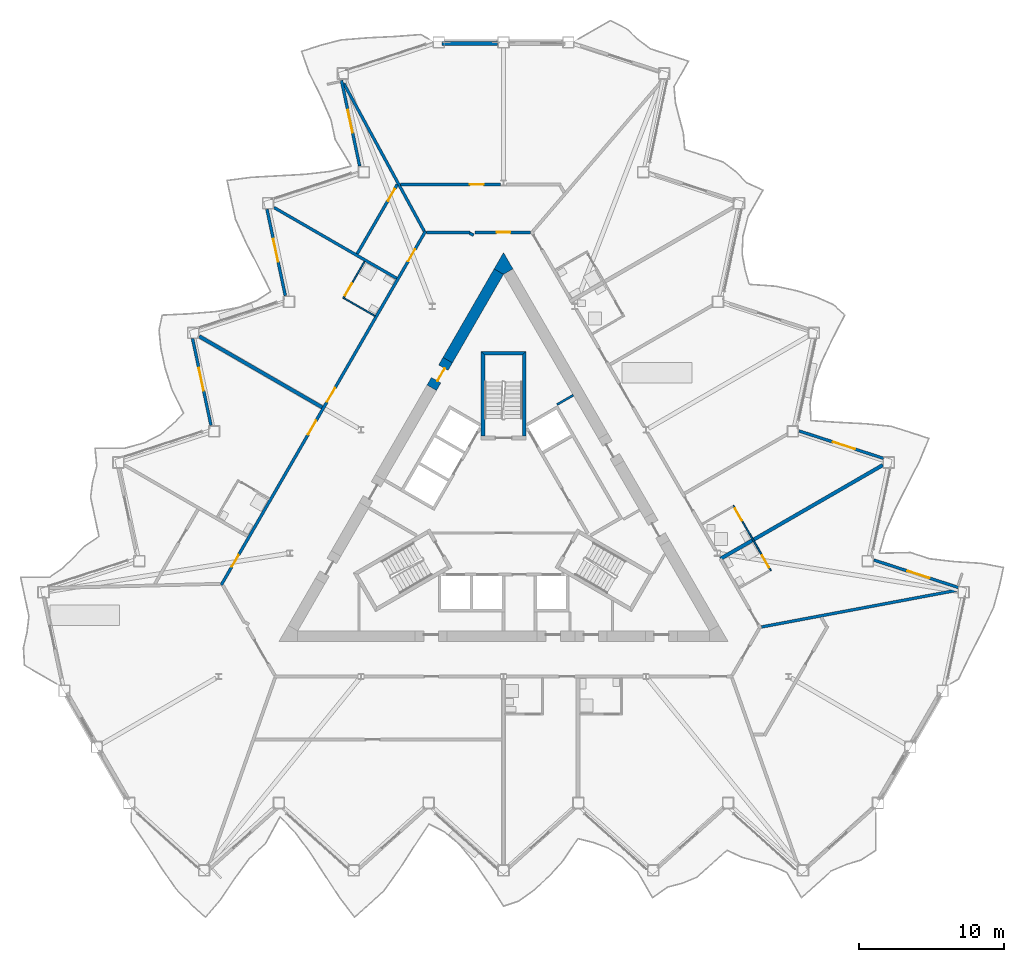
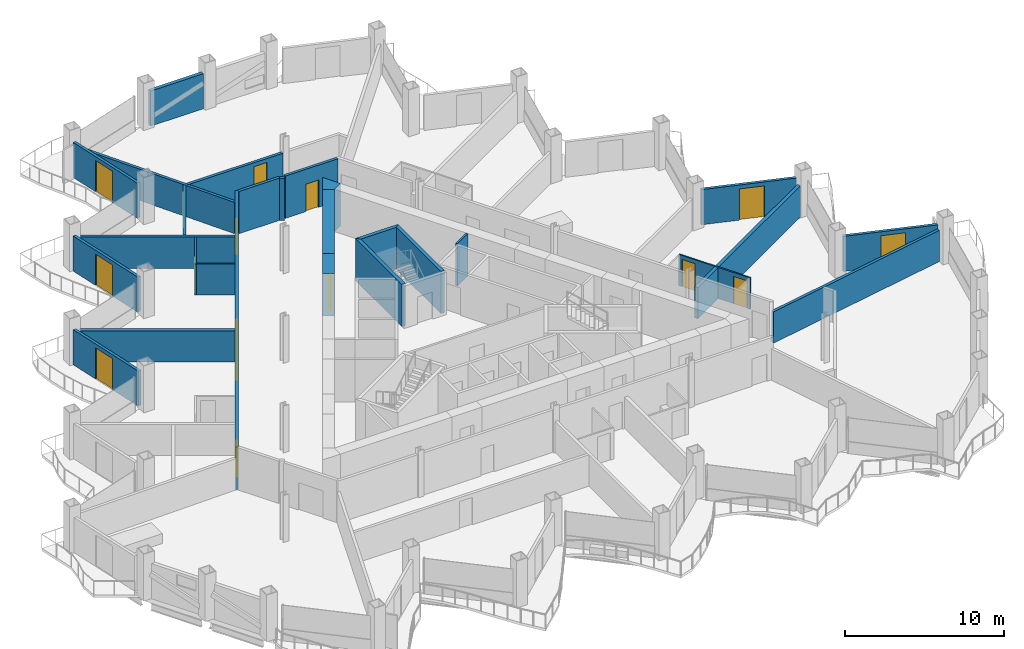
# One storey, part 13 of 22: 27 walls, 16 doors, 16 openings.
"""IFC4 building model written with IfcOpenShell, lengths in metres."""

import ifcopenshell
import ifcopenshell.guid

model = None  # the IFC model being written
_history = None  # IfcOwnerHistory: only IFC2X3 demands one
_inside = {}  # id of a spatial element -> (the spatial element, [elements in it])
_under = {}  # id of a project, library or spatial element -> (it, [spatial elements below it])
_declared = {}  # id of a project -> (the project, [libraries it declares])
_typed = {}  # id of a type object -> (the type object, [elements of that type])
_made_of = {}  # id of a material, layer set ... -> (it, [elements and type objects made of it])


def new_model(schema):
    """Start an empty IFC model of exactly this schema.

    Asked for "IFC4X3", IfcOpenShell would pick the latest addendum, in which some entities
    have other attributes; the version numbers below select the first issue.
    IFC2X3 requires an IfcOwnerHistory on every rooted entity: one is made here for all.
    """
    global model, _history
    if schema == "IFC4X3":
        model = ifcopenshell.file(schema_version=(4, 3, 0, 0))
    else:
        model = ifcopenshell.file(schema=schema)
    _inside.clear()
    _under.clear()
    _declared.clear()
    _typed.clear()
    _made_of.clear()
    _history = None
    if model.schema == "IFC2X3":
        org = make("IfcOrganization", Name="unknown")
        user = make(
            "IfcPersonAndOrganization",
            ThePerson=make("IfcPerson", FamilyName="unknown"),
            TheOrganization=org,
        )
        app = make(
            "IfcApplication",
            ApplicationDeveloper=org,
            Version="unknown",
            ApplicationFullName="unknown",
            ApplicationIdentifier="unknown",
        )
        _history = make(
            "IfcOwnerHistory",
            OwningUser=user,
            OwningApplication=app,
            ChangeAction="ADDED",
            CreationDate=0,
        )
    return model


def make(cls, **values):
    """One entity of the class cls with the attributes given. An attribute that is None is left unset."""
    return model.create_entity(
        cls, **{name: value for name, value in values.items() if value is not None}
    )


def rooted(cls, **values):
    """An entity with a GlobalId (a new one), such as an element, a storey or a relation."""
    return make(cls, GlobalId=ifcopenshell.guid.new(), OwnerHistory=_history, **values)


def si_unit(unit_type, name, prefix=None):
    """IfcSIUnit, for example si_unit("LENGTHUNIT", "METRE", prefix="MILLI")."""
    return make("IfcSIUnit", UnitType=unit_type, Prefix=prefix, Name=name)


def assignment(units):
    """IfcUnitAssignment: the units of a project."""
    return None if units is None else make("IfcUnitAssignment", Units=units)


def point(xyz):
    """IfcCartesianPoint."""
    return None if xyz is None else make("IfcCartesianPoint", Coordinates=xyz)


def direction(xyz):
    """IfcDirection."""
    return None if xyz is None else make("IfcDirection", DirectionRatios=xyz)


def frame(location, z_axis=None, x_axis=None):
    """IfcAxis2Placement3D, a coordinate frame: its origin and axes. An axis left out is left unset."""
    return make(
        "IfcAxis2Placement3D",
        Location=point(location),
        Axis=direction(z_axis),
        RefDirection=direction(x_axis),
    )


def frame_2d(location, x_axis=None):
    """IfcAxis2Placement2D, a coordinate frame in the plane: its origin and x axis."""
    return make(
        "IfcAxis2Placement2D", Location=point(location), RefDirection=direction(x_axis)
    )


def origin():
    """The frame at (0, 0, 0) with its axes left unset."""
    return frame((0.0, 0.0, 0.0))


def place(relative_to, where):
    """IfcLocalPlacement: puts the frame where relative to a parent placement (None: the world)."""
    return make(
        "IfcLocalPlacement", PlacementRelTo=relative_to, RelativePlacement=where
    )


def context(
    kind, dimensions, precision=None, world=None, true_north=None, identifier=None
):
    """IfcGeometricRepresentationContext, for example the 3D "Model" context."""
    return make(
        "IfcGeometricRepresentationContext",
        ContextIdentifier=identifier,
        ContextType=kind,
        CoordinateSpaceDimension=dimensions,
        Precision=precision,
        WorldCoordinateSystem=world,
        TrueNorth=true_north,
    )


def subcontext(parent, identifier, kind, view, scale=None):
    """IfcGeometricRepresentationSubContext, for example "Body" below "Model"."""
    return make(
        "IfcGeometricRepresentationSubContext",
        ContextIdentifier=identifier,
        ContextType=kind,
        ParentContext=parent,
        TargetScale=scale,
        TargetView=view,
    )


def project(units=None, contexts=None):
    """IfcProject with its units and contexts."""
    return rooted(
        "IfcProject",
        Name="project",
        RepresentationContexts=contexts,
        UnitsInContext=assignment(units),
    )


def spatial(cls, under=None, at=None, **own):
    """A site, building, storey or space (cls), placed at a placement, below another one or the project."""
    s = rooted(cls, ObjectPlacement=at, **own)
    if under is not None:
        _under.setdefault(under.id(), (under, []))[1].append(s)
    return s


def polyline(points):
    """IfcPolyline through the points."""
    return make("IfcPolyline", Points=[point(p) for p in points])


def profile(cls, at=None, kind="AREA", **sizes):
    """A parametric profile (cls). Its sizes go by their IFC names, for example OverallWidth=200.0."""
    return make(cls, ProfileType=kind, Position=at, **sizes)


def rectangle(**sizes):
    """IfcRectangleProfileDef."""
    return profile("IfcRectangleProfileDef", **sizes)


def outline(outer, holes=None, kind="AREA"):
    """IfcArbitraryClosedProfileDef: a profile drawn as a closed curve; with holes, ...WithVoids."""
    if holes is None:
        return make("IfcArbitraryClosedProfileDef", ProfileType=kind, OuterCurve=outer)
    return make(
        "IfcArbitraryProfileDefWithVoids",
        ProfileType=kind,
        OuterCurve=outer,
        InnerCurves=holes,
    )


def extrude(swept, where, along, depth):
    """IfcExtrudedAreaSolid: the profile swept, set in the frame where, extruded along a direction by depth."""
    return make(
        "IfcExtrudedAreaSolid",
        SweptArea=swept,
        Position=where,
        ExtrudedDirection=direction(along),
        Depth=depth,
    )


def shape(context_of_items, identifier, shape_type, items):
    """IfcShapeRepresentation: the items that make up one representation, for example the "Body"."""
    return make(
        "IfcShapeRepresentation",
        ContextOfItems=context_of_items,
        RepresentationIdentifier=identifier,
        RepresentationType=shape_type,
        Items=items,
    )


def material(Name=None, Category=None):
    """IfcMaterial."""
    return make("IfcMaterial", Name=Name, Category=Category)


def layer(
    of_material, thickness, ventilated=None, Name=None, Category=None, Priority=None
):
    """IfcMaterialLayer: one layer of a wall or slab, of a material (None: an air gap)."""
    return make(
        "IfcMaterialLayer",
        Material=of_material,
        LayerThickness=thickness,
        IsVentilated=ventilated,
        Name=Name,
        Category=Category,
        Priority=Priority,
    )


def layer_set(layers, Name=None):
    """IfcMaterialLayerSet."""
    return make("IfcMaterialLayerSet", MaterialLayers=layers, LayerSetName=Name)


def made_of(thing, what):
    """Note that an element or type object is made of a material, layer set ...; save() writes the relation."""
    if what is not None:
        _made_of.setdefault(what.id(), (what, []))[1].append(thing)
    return thing


def type_object(cls, material=None, **own):
    """A type object (cls), such as IfcWallType, which elements share."""
    return made_of(rooted(cls, **own), material)


def element(
    cls,
    number,
    at=None,
    inside=None,
    cuts=None,
    type_object=None,
    material=None,
    context=None,
    identifier="Body",
    shape_type=None,
    held_by="IfcProductDefinitionShape",
    body=None,
    shapes=None,
    **own,
):
    """One element of the class cls, such as IfcWall. Its Tag is "e" and its number.

    at: its placement. inside: the storey or other place that contains it. cuts: it is an
    opening in that element (IfcRelVoidsElement). A single representation is given by context,
    identifier, shape_type and body (its items); several are given by shapes. held_by: the class
    of the entity that holds the representations. save() writes the other relations.
    """
    e = rooted(cls, Tag="e%d" % number, ObjectPlacement=at, **own)
    if body is not None:
        shapes = [shape(context, identifier, shape_type, body)]
    if shapes is not None:
        e.Representation = make(held_by, Representations=shapes)
    if inside is not None:
        _inside.setdefault(inside.id(), (inside, []))[1].append(e)
    if cuts is not None:
        rooted(
            "IfcRelVoidsElement", RelatingBuildingElement=cuts, RelatedOpeningElement=e
        )
    if type_object is not None:
        _typed.setdefault(type_object.id(), (type_object, []))[1].append(e)
    return made_of(e, material)


def fill(opening, filler):
    """IfcRelFillsElement: the door or window that sits in an opening."""
    return rooted(
        "IfcRelFillsElement",
        RelatingOpeningElement=opening,
        RelatedBuildingElement=filler,
    )


def aggregate(whole, parts):
    """IfcRelAggregates: a whole, such as a stair, and the parts it consists of."""
    return rooted("IfcRelAggregates", RelatingObject=whole, RelatedObjects=parts)


def save(model, path):
    """Write the relations noted so far, then the file.

    IfcRelAggregates (storeys below a building ...), IfcRelContainedInSpatialStructure (elements
    in a storey), IfcRelDefinesByType, IfcRelAssociatesMaterial and IfcRelDeclares: one each for
    every whole, place, type object, material and project.
    """
    for whole, parts in _under.values():
        aggregate(whole, parts)
    for where, things in _inside.values():
        rooted(
            "IfcRelContainedInSpatialStructure",
            RelatedElements=things,
            RelatingStructure=where,
        )
    for kind, things in _typed.values():
        rooted("IfcRelDefinesByType", RelatedObjects=things, RelatingType=kind)
    for what, things in _made_of.values():
        rooted("IfcRelAssociatesMaterial", RelatedObjects=things, RelatingMaterial=what)
    for by, libraries in _declared.values():
        rooted("IfcRelDeclares", RelatingContext=by, RelatedDefinitions=libraries)
    model.write(path)


model = new_model("IFC4")

# Units and contexts
model_context = context("Model", 3, precision=1e-05, world=origin(), true_north=direction((0.0, 1.0)))
body_context = subcontext(model_context, "Body", "Model", "MODEL_VIEW")
ifc_project = project(units=[si_unit("LENGTHUNIT", "METRE"), si_unit("AREAUNIT", "SQUARE_METRE"), si_unit("VOLUMEUNIT", "CUBIC_METRE"), si_unit("PLANEANGLEUNIT", "RADIAN"), si_unit("MASSUNIT", "GRAM", prefix="KILO")], contexts=[model_context])

# Site, building, storey
site_placement = place(None, origin())
site = spatial("IfcSite", under=ifc_project, at=site_placement, CompositionType="ELEMENT")
building_placement = place(site_placement, origin())
building = spatial("IfcBuilding", under=site, at=building_placement, Name="Cormorant Prow Tower", CompositionType="ELEMENT")
storey_placement = place(building_placement, frame((0.0, 0.0, 190.800048828125)))
storey = spatial("IfcBuildingStorey", under=building, at=storey_placement, Name="L41", CompositionType="ELEMENT", Elevation=190.800048828125)

# Walls
ifc_material_1 = material(Name="Gypsum board partition")
ifc_layer_1 = layer(ifc_material_1, 0.14990234375)
ifc_layer_set_1 = layer_set([ifc_layer_1], Name="Gypsum board partition")
wall_type_1 = type_object("IfcWallType", Name="Core partition 150", PredefinedType="PARTITIONING", material=ifc_layer_set_1)
wall_1_placement = place(storey_placement, frame((3.693359375, 7.4150390625, 0.0), z_axis=(0.0, 0.0, 1.0), x_axis=(0.866003189247, 0.500038474733, 0.0)))
element("IfcWall", 1, at=wall_1_placement, inside=storey, type_object=wall_type_1, Name="Service room partition", PredefinedType="PARTITIONING", context=body_context, shape_type="SweptSolid", body=[
    extrude(rectangle(XDim=1.29296875, YDim=0.14990234375, at=frame_2d((0.646484375, 0.0))), origin(), (0.0, 0.0, 1.0), 3.25),
])
ifc_material_2 = material(Name="Concrete 8000 psi", Category="concrete")
ifc_layer_2 = layer(ifc_material_2, 0.75)
ifc_layer_set_2 = layer_set([ifc_layer_2], Name="Concrete 8000 psi")
wall_type_2 = type_object("IfcWallType", Name="Core shear wall 750", PredefinedType="SHEAR", material=ifc_layer_set_2)
wall_2_placement = place(storey_placement, frame((-0.32470703125, 16.58544921875, 0.0), z_axis=(0.0, 0.0, 1.0), x_axis=(-0.500012199891, -0.86601836006, 0.0)))
element("IfcWall", 2, at=wall_2_placement, inside=storey, type_object=wall_type_2, Name="Core wall", PredefinedType="SHEAR", context=body_context, shape_type="SweptSolid", body=[
    extrude(rectangle(XDim=7.050537109375, YDim=0.75, at=frame_2d((3.525390625, 0.0))), origin(), (0.0, 0.0, 1.0), 3.25),
])
wall_3_placement = place(storey_placement, origin())
element("IfcWall", 3, at=wall_3_placement, inside=storey, type_object=wall_type_2, Name="Core wall corner", PredefinedType="SHEAR", context=body_context, shape_type="SweptSolid", body=[
    extrude(outline(polyline([(-0.6494140625, 16.77294921875), (0.0, 17.89794921875), (0.6494140625, 16.77294921875), (0.0, 16.39794921875), (-0.6494140625, 16.77294921875)])), origin(), (0.0, 0.0, 1.0), 3.25),
])

# Wall, opening, door
wall_4_placement = place(storey_placement, frame((-3.85009765625, 10.4794921875, 0.0), z_axis=(0.0, 0.0, 1.0), x_axis=(-0.499946605688, -0.86605622881, 0.0)))
wall_4 = element("IfcWall", 4, at=wall_4_placement, inside=storey, type_object=wall_type_2, Name="Core wall door panel", PredefinedType="SHEAR", context=body_context, shape_type="SweptSolid", body=[
    extrude(rectangle(XDim=2.199951171875, YDim=0.75, at=frame_2d((1.10009765625, 0.0))), origin(), (0.0, 0.0, 1.0), 3.25),
])
opening_1_placement = place(wall_4_placement, frame((0.60009765625, 0.0, 0.0)))
opening_1 = element("IfcOpeningElement", 5, at=opening_1_placement, cuts=wall_4, Name="Opening L41-C19", PredefinedType="OPENING", context=body_context, shape_type="SweptSolid", body=[
    extrude(rectangle(XDim=1.0, YDim=2.10009765625, at=frame_2d((0.5, 1.050048828125))), frame((0.0, 0.385009765625, 0.0), z_axis=(0.0, -1.0, 0.0), x_axis=(1.0, 0.0, 0.0)), (0.0, 0.0, 1.0), 0.77001953125),
])
ifc_material_3 = material(Name="Painted steel", Category="steel")
door_type_1 = type_object("IfcDoorType", Name="Service door 1000x2100", OperationType="NOTDEFINED", PredefinedType="DOOR", material=ifc_material_3)
door_1_placement = place(opening_1_placement, origin())
door_1 = element("IfcDoor", 6, at=door_1_placement, inside=storey, type_object=door_type_1, Name="Core door, Electrical room", OperationType="SINGLE_SWING_RIGHT", OverallHeight=2.10009765625, OverallWidth=1.0, PredefinedType="DOOR", context=body_context, shape_type="SweptSolid", body=[
    extrude(rectangle(XDim=1.0, YDim=2.10009765625, at=frame_2d((0.5, 1.050048828125))), frame((0.0, 0.1298828125, 0.0), z_axis=(0.0, -1.0, 0.0), x_axis=(1.0, 0.0, 0.0)), (0.0, 0.0, 1.0), 0.050048828125),
])
fill(opening_1, door_1)

# Wall, openings, doors
ifc_material_4 = material(Name="Gypsum board corridor wall")
ifc_layer_3 = layer(ifc_material_4, 0.199951171875)
ifc_layer_set_3 = layer_set([ifc_layer_3], Name="Gypsum board corridor wall")
wall_type_3 = type_object("IfcWallType", Name="Corridor wall 200", PredefinedType="PARTITIONING", material=ifc_layer_set_3)
wall_5_placement = place(storey_placement, frame((-19.47607421875, -5.035400390625, 0.0), z_axis=(0.0, 0.0, 1.0), x_axis=(0.500000757641, 0.86602496636, 0.0)))
wall_5 = element("IfcWall", 7, at=wall_5_placement, inside=storey, type_object=wall_type_3, Name="Corridor wall", PredefinedType="PARTITIONING", context=body_context, shape_type="SweptSolid", body=[
    extrude(rectangle(XDim=28.19775390625, YDim=0.199951171875, at=frame_2d((14.098876953125, 0.0))), origin(), (0.0, 0.0, 1.0), 3.25),
])
opening_2_placement = place(wall_5_placement, frame((25.795654296875, 0.0, 0.0)))
opening_2 = element("IfcOpeningElement", 8, at=opening_2_placement, cuts=wall_5, Name="Opening L41-F20", PredefinedType="OPENING", context=body_context, shape_type="SweptSolid", body=[
    extrude(rectangle(XDim=0.949951171875, YDim=2.10009765625, at=frame_2d((0.47509765625, 1.050048828125))), frame((0.0, 0.10986328125, 0.0), z_axis=(0.0, -1.0, 0.0), x_axis=(1.0, 0.0, 0.0)), (0.0, 0.0, 1.0), 0.219970703125),
])
opening_3_placement = place(wall_5_placement, frame((14.602783203125, 0.0, 0.0)))
opening_3 = element("IfcOpeningElement", 9, at=opening_3_placement, cuts=wall_5, Name="Opening L41-F22", PredefinedType="OPENING", context=body_context, shape_type="SweptSolid", body=[
    extrude(rectangle(XDim=1.10009765625, YDim=2.10009765625, at=frame_2d((0.550048828125, 1.050048828125))), frame((0.0, 0.10986328125, 0.0), z_axis=(0.0, -1.0, 0.0), x_axis=(1.0, 0.0, 0.0)), (0.0, 0.0, 1.0), 0.219970703125),
])
opening_4_placement = place(wall_5_placement, frame((11.9931640625, 0.0, 0.0)))
opening_4 = element("IfcOpeningElement", 10, at=opening_4_placement, cuts=wall_5, Name="Opening L41-F24", PredefinedType="OPENING", context=body_context, shape_type="SweptSolid", body=[
    extrude(rectangle(XDim=1.10009765625, YDim=2.10009765625, at=frame_2d((0.550048828125, 1.050048828125))), frame((0.0, 0.10986328125, 0.0), z_axis=(0.0, -1.0, 0.0), x_axis=(1.0, 0.0, 0.0)), (0.0, 0.0, 1.0), 0.219970703125),
])
opening_5_placement = place(wall_5_placement, frame((1.4521484375, 0.0, 0.0)))
opening_5 = element("IfcOpeningElement", 11, at=opening_5_placement, cuts=wall_5, Name="Opening L41-F26", PredefinedType="OPENING", context=body_context, shape_type="SweptSolid", body=[
    extrude(rectangle(XDim=0.949951171875, YDim=2.10009765625, at=frame_2d((0.47509765625, 1.050048828125))), frame((0.0, 0.10986328125, 0.0), z_axis=(0.0, -1.0, 0.0), x_axis=(1.0, 0.0, 0.0)), (0.0, 0.0, 1.0), 0.219970703125),
])
ifc_material_5 = material(Name="Timber door leaf", Category="wood")
door_type_2 = type_object("IfcDoorType", Name="Store door 950x2100", OperationType="NOTDEFINED", PredefinedType="DOOR", material=ifc_material_5)
door_2_placement = place(opening_2_placement, origin())
door_2 = element("IfcDoor", 12, at=door_2_placement, inside=storey, type_object=door_type_2, Name="Ice and vending room door", OperationType="SINGLE_SWING_RIGHT", OverallHeight=2.10009765625, OverallWidth=0.949951171875, PredefinedType="DOOR", context=body_context, shape_type="SweptSolid", body=[
    extrude(rectangle(XDim=0.949951171875, YDim=2.10009765625, at=frame_2d((0.47509765625, 1.050048828125))), frame((0.0, 0.02490234375, 0.0), z_axis=(0.0, -1.0, 0.0), x_axis=(1.0, 0.0, 0.0)), (0.0, 0.0, 1.0), 0.050048828125),
])
fill(opening_2, door_2)
door_3_placement = place(opening_5_placement, origin())
door_3 = element("IfcDoor", 13, at=door_3_placement, inside=storey, type_object=door_type_2, Name="Ice and vending room door", OperationType="SINGLE_SWING_LEFT", OverallHeight=2.10009765625, OverallWidth=0.949951171875, PredefinedType="DOOR", context=body_context, shape_type="SweptSolid", body=[
    extrude(rectangle(XDim=0.949951171875, YDim=2.10009765625, at=frame_2d((0.47509765625, 1.050048828125))), frame((0.0, 0.02490234375, 0.0), z_axis=(0.0, -1.0, 0.0), x_axis=(1.0, 0.0, 0.0)), (0.0, 0.0, 1.0), 0.050048828125),
])
fill(opening_5, door_3)
ifc_material_6 = material(Name="Timber door leaf", Category="wood")
door_type_3 = type_object("IfcDoorType", Name="Suite entrance door 1100x2100", OperationType="NOTDEFINED", PredefinedType="DOOR", material=ifc_material_6)
door_4_placement = place(opening_3_placement, origin())
door_4 = element("IfcDoor", 14, at=door_4_placement, inside=storey, type_object=door_type_3, Name="Junior suite door", OperationType="SINGLE_SWING_LEFT", OverallHeight=2.10009765625, OverallWidth=1.10009765625, PredefinedType="DOOR", context=body_context, shape_type="SweptSolid", body=[
    extrude(rectangle(XDim=1.10009765625, YDim=2.10009765625, at=frame_2d((0.550048828125, 1.050048828125))), frame((0.0, 0.02490234375, 0.0), z_axis=(0.0, -1.0, 0.0), x_axis=(1.0, 0.0, 0.0)), (0.0, 0.0, 1.0), 0.050048828125),
])
fill(opening_3, door_4)
door_5_placement = place(opening_4_placement, origin())
door_5 = element("IfcDoor", 15, at=door_5_placement, inside=storey, type_object=door_type_3, Name="Junior suite door", OperationType="SINGLE_SWING_RIGHT", OverallHeight=2.10009765625, OverallWidth=1.10009765625, PredefinedType="DOOR", context=body_context, shape_type="SweptSolid", body=[
    extrude(rectangle(XDim=1.10009765625, YDim=2.10009765625, at=frame_2d((0.550048828125, 1.050048828125))), frame((0.0, 0.02490234375, 0.0), z_axis=(0.0, -1.0, 0.0), x_axis=(1.0, 0.0, 0.0)), (0.0, 0.0, 1.0), 0.050048828125),
])
fill(opening_4, door_5)

# Wall, opening, door
wall_6_placement = place(storey_placement, frame((-1.962890625, 19.2978515625, 0.0), z_axis=(0.0, 0.0, 1.0), x_axis=(1.0, 0.0, 0.0)))
wall_6 = element("IfcWall", 16, at=wall_6_placement, inside=storey, type_object=wall_type_3, Name="Corridor wall", PredefinedType="PARTITIONING", context=body_context, shape_type="SweptSolid", body=[
    extrude(rectangle(XDim=3.825927734375, YDim=0.199951171875, at=frame_2d((1.9130859375, 0.0))), origin(), (0.0, 0.0, 1.0), 3.25),
])
opening_6_placement = place(wall_6_placement, frame((1.48974609375, 0.0, 0.0)))
opening_6 = element("IfcOpeningElement", 17, at=opening_6_placement, cuts=wall_6, Name="Opening L41-F18", PredefinedType="OPENING", context=body_context, shape_type="SweptSolid", body=[
    extrude(rectangle(XDim=0.949951171875, YDim=2.10009765625, at=frame_2d((0.47509765625, 1.050048828125))), frame((0.0, 0.10986328125, 0.0), z_axis=(0.0, -1.0, 0.0), x_axis=(1.0, 0.0, 0.0)), (0.0, 0.0, 1.0), 0.219970703125),
])
door_6_placement = place(opening_6_placement, origin())
door_6 = element("IfcDoor", 18, at=door_6_placement, inside=storey, type_object=door_type_2, Name="Housekeeping room door", OperationType="SINGLE_SWING_LEFT", OverallHeight=2.10009765625, OverallWidth=0.949951171875, PredefinedType="DOOR", context=body_context, shape_type="SweptSolid", body=[
    extrude(rectangle(XDim=0.949951171875, YDim=2.10009765625, at=frame_2d((0.47509765625, 1.050048828125))), frame((0.0, 0.02490234375, 0.0), z_axis=(0.0, -1.0, 0.0), x_axis=(1.0, 0.0, 0.0)), (0.0, 0.0, 1.0), 0.050048828125),
])
fill(opening_6, door_6)

# Walls
wall_7_placement = place(storey_placement, frame((-5.3271484375, 19.2978515625, 0.0), z_axis=(0.0, 0.0, 1.0), x_axis=(1.0, 0.0, 0.0)))
element("IfcWall", 19, at=wall_7_placement, inside=storey, type_object=wall_type_3, Name="Corridor wall", PredefinedType="PARTITIONING", context=body_context, shape_type="SweptSolid", body=[
    extrude(rectangle(XDim=3.002197265625, YDim=0.199951171875, at=frame_2d((1.5009765625, 0.0))), origin(), (0.0, 0.0, 1.0), 3.25),
])
wall_8_placement = place(storey_placement, frame((-2.33837890625, 19.247802734375, 0.0), z_axis=(0.0, 0.0, 1.0), x_axis=(0.866395311824, -0.499358752451, 0.0)))
element("IfcWall", 20, at=wall_8_placement, inside=storey, type_object=wall_type_3, Name="Corridor wall", PredefinedType="PARTITIONING", context=body_context, shape_type="SweptSolid", body=[
    extrude(rectangle(XDim=0.31005859375, YDim=0.199951171875, at=frame_2d((0.155029296875, 0.0))), origin(), (0.0, 0.0, 1.0), 3.25),
])
ifc_material_7 = material(Name="Gypsum board demising wall")
ifc_layer_4 = layer(ifc_material_7, 0.199951171875)
ifc_layer_set_4 = layer_set([ifc_layer_4], Name="Gypsum board demising wall")
wall_type_4 = type_object("IfcWallType", Name="Demising wall 200", PredefinedType="PARTITIONING", material=ifc_layer_set_4)
wall_9_placement = place(storey_placement, frame((17.792236328125, -7.930419921875, 0.0), z_axis=(0.0, 0.0, 1.0), x_axis=(0.982805703999, 0.184642758284, 0.0)))
element("IfcWall", 21, at=wall_9_placement, inside=storey, type_object=wall_type_4, Name="Demising wall", PredefinedType="PARTITIONING", context=body_context, shape_type="SweptSolid", body=[
    extrude(rectangle(XDim=13.773681640625, YDim=0.199951171875, at=frame_2d((6.88671875, 0.0))), origin(), (0.0, 0.0, 1.0), 2.404052734375),
])
wall_10_placement = place(storey_placement, frame((-11.020751953125, 29.569580078125, 0.0), z_axis=(0.0, 0.0, 1.0), x_axis=(0.478233946204, -0.878232482147, 0.0)))
element("IfcWall", 22, at=wall_10_placement, inside=storey, type_object=wall_type_4, Name="Demising wall", PredefinedType="PARTITIONING", context=body_context, shape_type="SweptSolid", body=[
    extrude(rectangle(XDim=11.59619140625, YDim=0.199951171875, at=frame_2d((5.798095703125, 0.0))), origin(), (0.0, 0.0, 1.0), 2.404052734375),
])
wall_11_placement = place(storey_placement, frame((-15.834716796875, 21.009033203125, 0.0), z_axis=(0.0, 0.0, 1.0), x_axis=(0.866024525919, -0.500001520505, 0.0)))
element("IfcWall", 23, at=wall_11_placement, inside=storey, type_object=wall_type_4, Name="Demising wall", PredefinedType="PARTITIONING", context=body_context, shape_type="SweptSolid", body=[
    extrude(rectangle(XDim=9.76904296875, YDim=0.199951171875, at=frame_2d((4.884521484375, 0.0))), origin(), (0.0, 0.0, 1.0), 2.404052734375),
])

# Wall, opening, door
wall_12_placement = place(storey_placement, frame((-7.124267578125, 22.597900390625, 0.0), z_axis=(0.0, 0.0, 1.0), x_axis=(1.0, 0.0, 0.0)))
wall_12 = element("IfcWall", 24, at=wall_12_placement, inside=storey, type_object=wall_type_4, Name="Demising wall", PredefinedType="PARTITIONING", context=body_context, shape_type="SweptSolid", body=[
    extrude(rectangle(XDim=6.91064453125, YDim=0.199951171875, at=frame_2d((3.455322265625, 0.0))), origin(), (0.0, 0.0, 1.0), 2.404052734375),
])
opening_7_placement = place(wall_12_placement, frame((4.800537109375, 0.0, 0.0)))
opening_7 = element("IfcOpeningElement", 25, at=opening_7_placement, cuts=wall_12, Name="Opening L41-F19", PredefinedType="OPENING", context=body_context, shape_type="SweptSolid", body=[
    extrude(rectangle(XDim=0.949951171875, YDim=2.10009765625, at=frame_2d((0.47509765625, 1.050048828125))), frame((0.0, 0.10986328125, 0.0), z_axis=(0.0, -1.0, 0.0), x_axis=(1.0, 0.0, 0.0)), (0.0, 0.0, 1.0), 0.219970703125),
])
door_7_placement = place(opening_7_placement, origin())
door_7 = element("IfcDoor", 26, at=door_7_placement, inside=storey, type_object=door_type_2, Name="Ice and vending room door", OperationType="SINGLE_SWING_LEFT", OverallHeight=2.10009765625, OverallWidth=0.949951171875, PredefinedType="DOOR", context=body_context, shape_type="SweptSolid", body=[
    extrude(rectangle(XDim=0.949951171875, YDim=2.10009765625, at=frame_2d((0.47509765625, 1.050048828125))), frame((0.0, 0.02490234375, 0.0), z_axis=(0.0, -1.0, 0.0), x_axis=(1.0, 0.0, 0.0)), (0.0, 0.0, 1.0), 0.050048828125),
])
fill(opening_7, door_7)

wall_13_placement = place(storey_placement, frame((-10.095947265625, 17.811279296875, 0.0), z_axis=(0.0, 0.0, 1.0), x_axis=(0.500015590807, 0.866016402241, 0.0)))
wall_13 = element("IfcWall", 27, at=wall_13_placement, inside=storey, type_object=wall_type_4, Name="Demising wall", PredefinedType="PARTITIONING", context=body_context, shape_type="SweptSolid", body=[
    extrude(rectangle(XDim=5.527099609375, YDim=0.199951171875, at=frame_2d((2.763671875, 0.0))), origin(), (0.0, 0.0, 1.0), 2.404052734375),
])
opening_8_placement = place(wall_13_placement, frame((4.22509765625, 0.0, 0.0)))
opening_8 = element("IfcOpeningElement", 28, at=opening_8_placement, cuts=wall_13, Name="Opening L41-F21", PredefinedType="OPENING", context=body_context, shape_type="SweptSolid", body=[
    extrude(rectangle(XDim=0.949951171875, YDim=2.10009765625, at=frame_2d((0.47509765625, 1.050048828125))), frame((0.0, 0.10986328125, 0.0), z_axis=(0.0, -1.0, 0.0), x_axis=(1.0, 0.0, 0.0)), (0.0, 0.0, 1.0), 0.219970703125),
])
door_8_placement = place(opening_8_placement, origin())
door_8 = element("IfcDoor", 29, at=door_8_placement, inside=storey, type_object=door_type_2, Name="Service store door", OperationType="SINGLE_SWING_RIGHT", OverallHeight=2.10009765625, OverallWidth=0.949951171875, PredefinedType="DOOR", context=body_context, shape_type="SweptSolid", body=[
    extrude(rectangle(XDim=0.949951171875, YDim=2.10009765625, at=frame_2d((0.47509765625, 1.050048828125))), frame((0.0, 0.02490234375, 0.0), z_axis=(0.0, -1.0, 0.0), x_axis=(1.0, 0.0, 0.0)), (0.0, 0.0, 1.0), 0.050048828125),
])
fill(opening_8, door_8)

# Wall, openings, doors
ifc_material_8 = material(Name="Gypsum board partition")
ifc_layer_5 = layer(ifc_material_8, 0.10009765625)
ifc_layer_set_5 = layer_set([ifc_layer_5], Name="Gypsum board partition")
wall_type_5 = type_object("IfcWallType", Name="Internal partition 100", PredefinedType="PARTITIONING", material=ifc_layer_set_5)
wall_14_placement = place(storey_placement, frame((15.843505859375, 0.455810546875, 0.0), z_axis=(0.0, 0.0, 1.0), x_axis=(0.500006934395, -0.866021400173, 0.0)))
wall_14 = element("IfcWall", 30, at=wall_14_placement, inside=storey, type_object=wall_type_5, Name="Internal partition", PredefinedType="PARTITIONING", context=body_context, shape_type="SweptSolid", body=[
    extrude(rectangle(XDim=5.2001953125, YDim=0.10009765625, at=frame_2d((2.60009765625, 0.0))), origin(), (0.0, 0.0, 1.0), 2.404052734375),
])
opening_9_placement = place(wall_14_placement, frame((4.0, 0.0, 0.0)))
opening_9 = element("IfcOpeningElement", 31, at=opening_9_placement, cuts=wall_14, Name="Opening L41-F10", PredefinedType="OPENING", context=body_context, shape_type="SweptSolid", body=[
    extrude(rectangle(XDim=0.949951171875, YDim=2.10009765625, at=frame_2d((0.47509765625, 1.050048828125))), frame((0.0, 0.06005859375, 0.0), z_axis=(0.0, -1.0, 0.0), x_axis=(1.0, 0.0, 0.0)), (0.0, 0.0, 1.0), 0.1201171875),
])
opening_10_placement = place(wall_14_placement, frame((0.25, 0.0, 0.0)))
opening_10 = element("IfcOpeningElement", 32, at=opening_10_placement, cuts=wall_14, Name="Opening L41-F12", PredefinedType="OPENING", context=body_context, shape_type="SweptSolid", body=[
    extrude(rectangle(XDim=0.949951171875, YDim=2.10009765625, at=frame_2d((0.47509765625, 1.050048828125))), frame((0.0, 0.06005859375, 0.0), z_axis=(0.0, -1.0, 0.0), x_axis=(1.0, 0.0, 0.0)), (0.0, 0.0, 1.0), 0.1201171875),
])
ifc_material_9 = material(Name="Timber door leaf", Category="wood")
door_type_4 = type_object("IfcDoorType", Name="Bathroom door 950x2100", OperationType="NOTDEFINED", PredefinedType="DOOR", material=ifc_material_9)
door_9_placement = place(opening_9_placement, origin())
door_9 = element("IfcDoor", 33, at=door_9_placement, inside=storey, type_object=door_type_4, Name="Junior suite door", OperationType="SINGLE_SWING_RIGHT", OverallHeight=2.10009765625, OverallWidth=0.949951171875, PredefinedType="DOOR", context=body_context, shape_type="SweptSolid", body=[
    extrude(rectangle(XDim=0.949951171875, YDim=2.10009765625, at=frame_2d((0.47509765625, 1.050048828125))), frame((0.0, 0.02490234375, 0.0), z_axis=(0.0, -1.0, 0.0), x_axis=(1.0, 0.0, 0.0)), (0.0, 0.0, 1.0), 0.050048828125),
])
fill(opening_9, door_9)
door_10_placement = place(opening_10_placement, origin())
door_10 = element("IfcDoor", 34, at=door_10_placement, inside=storey, type_object=door_type_4, Name="Guest room door", OperationType="SINGLE_SWING_LEFT", OverallHeight=2.10009765625, OverallWidth=0.949951171875, PredefinedType="DOOR", context=body_context, shape_type="SweptSolid", body=[
    extrude(rectangle(XDim=0.949951171875, YDim=2.10009765625, at=frame_2d((0.47509765625, 1.050048828125))), frame((0.0, 0.02490234375, 0.0), z_axis=(0.0, -1.0, 0.0), x_axis=(1.0, 0.0, 0.0)), (0.0, 0.0, 1.0), 0.050048828125),
])
fill(opening_10, door_10)

# Wall, opening, door
wall_15_placement = place(storey_placement, frame((-11.064697265625, 14.7333984375, 0.0), z_axis=(0.0, 0.0, 1.0), x_axis=(0.500037662692, 0.866003658127, 0.0)))
wall_15 = element("IfcWall", 35, at=wall_15_placement, inside=storey, type_object=wall_type_5, Name="Internal partition", PredefinedType="PARTITIONING", context=body_context, shape_type="SweptSolid", body=[
    extrude(rectangle(XDim=2.949951171875, YDim=0.10009765625, at=frame_2d((1.47509765625, 0.0))), origin(), (0.0, 0.0, 1.0), 2.404052734375),
])
opening_11_placement = place(wall_15_placement, frame((0.25, 0.0, 0.0)))
opening_11 = element("IfcOpeningElement", 36, at=opening_11_placement, cuts=wall_15, Name="Opening L41-F23", PredefinedType="OPENING", context=body_context, shape_type="SweptSolid", body=[
    extrude(rectangle(XDim=0.949951171875, YDim=2.10009765625, at=frame_2d((0.47509765625, 1.050048828125))), frame((0.0, 0.06005859375, 0.0), z_axis=(0.0, -1.0, 0.0), x_axis=(1.0, 0.0, 0.0)), (0.0, 0.0, 1.0), 0.1201171875),
])
door_11_placement = place(opening_11_placement, origin())
door_11 = element("IfcDoor", 37, at=door_11_placement, inside=storey, type_object=door_type_4, Name="Junior suite door", OperationType="SINGLE_SWING_LEFT", OverallHeight=2.10009765625, OverallWidth=0.949951171875, PredefinedType="DOOR", context=body_context, shape_type="SweptSolid", body=[
    extrude(rectangle(XDim=0.949951171875, YDim=2.10009765625, at=frame_2d((0.47509765625, 1.050048828125))), frame((0.0, 0.02490234375, 0.0), z_axis=(0.0, -1.0, 0.0), x_axis=(1.0, 0.0, 0.0)), (0.0, 0.0, 1.0), 0.050048828125),
])
fill(opening_11, door_11)

# Walls
wall_16_placement = place(storey_placement, frame((-10.996337890625, 14.751708984375, 0.0), z_axis=(0.0, 0.0, 1.0), x_axis=(0.866014668023, -0.500018594424, 0.0)))
element("IfcWall", 38, at=wall_16_placement, inside=storey, type_object=wall_type_5, Name="Internal partition", PredefinedType="PARTITIONING", context=body_context, shape_type="SweptSolid", body=[
    extrude(rectangle(XDim=2.4501953125, YDim=0.10009765625, at=frame_2d((1.22509765625, 0.0))), origin(), (0.0, 0.0, 1.0), 2.404052734375),
])
ifc_material_10 = material(Name="Concrete 8000 psi", Category="concrete")
ifc_layer_6 = layer(ifc_material_10, 0.25)
ifc_layer_set_6 = layer_set([ifc_layer_6], Name="Concrete 8000 psi")
wall_type_6 = type_object("IfcWallType", Name="Stair wall 250", PredefinedType="SHEAR", material=ifc_layer_set_6)
wall_17_placement = place(storey_placement, origin())
element("IfcWall", 39, at=wall_17_placement, inside=storey, type_object=wall_type_6, Name="Stair ST3 enclosure wall (flank)", PredefinedType="SHEAR", context=body_context, shape_type="SweptSolid", body=[
    extrude(outline(polyline([(1.5439453125, 5.23681640625), (1.5439453125, 11.0869140625), (1.2939453125, 10.8369140625), (1.2939453125, 5.23681640625), (1.5439453125, 5.23681640625)])), origin(), (0.0, 0.0, 1.0), 3.25),
])
wall_18_placement = place(storey_placement, origin())
element("IfcWall", 40, at=wall_18_placement, inside=storey, type_object=wall_type_6, Name="Stair ST3 enclosure wall (end)", PredefinedType="SHEAR", context=body_context, shape_type="SweptSolid", body=[
    extrude(outline(polyline([(1.5439453125, 11.0869140625), (-1.5439453125, 11.0869140625), (-1.2939453125, 10.8369140625), (1.2939453125, 10.8369140625), (1.5439453125, 11.0869140625)])), origin(), (0.0, 0.0, 1.0), 3.25),
])
wall_19_placement = place(storey_placement, origin())
element("IfcWall", 41, at=wall_19_placement, inside=storey, type_object=wall_type_6, Name="Stair ST3 enclosure wall (flank)", PredefinedType="SHEAR", context=body_context, shape_type="SweptSolid", body=[
    extrude(outline(polyline([(-1.2939453125, 10.8369140625), (-1.5439453125, 11.0869140625), (-1.5439453125, 5.23681640625), (-1.2939453125, 5.23681640625), (-1.2939453125, 10.8369140625)])), origin(), (0.0, 0.0, 1.0), 3.25),
])
ifc_material_11 = material(Name="Acoustic gypsum party wall")
ifc_layer_7 = layer(ifc_material_11, 0.25)
ifc_layer_set_7 = layer_set([ifc_layer_7], Name="Acoustic gypsum party wall")
wall_type_7 = type_object("IfcWallType", Name="Suite party wall 250", PredefinedType="PARTITIONING", material=ifc_layer_set_7)
wall_20_placement = place(storey_placement, frame((14.967041015625, -3.2255859375, 0.0), z_axis=(0.0, 0.0, 1.0), x_axis=(0.866030250269, 0.499991605548, 0.0)))
element("IfcWall", 42, at=wall_20_placement, inside=storey, type_object=wall_type_7, Name="Suite party wall", PredefinedType="PARTITIONING", context=body_context, shape_type="SweptSolid", body=[
    extrude(rectangle(XDim=12.929443359375, YDim=0.25, at=frame_2d((6.46484375, 0.0))), origin(), (0.0, 0.0, 1.0), 2.404052734375),
])
wall_21_placement = place(storey_placement, frame((-20.99951171875, 12.1240234375, 0.0), z_axis=(0.0, 0.0, 1.0), x_axis=(0.866032905446, -0.499987006516, 0.0)))
element("IfcWall", 43, at=wall_21_placement, inside=storey, type_object=wall_type_7, Name="Suite party wall", PredefinedType="PARTITIONING", context=body_context, shape_type="SweptSolid", body=[
    extrude(rectangle(XDim=9.799072265625, YDim=0.25, at=frame_2d((4.8994140625, 0.0))), origin(), (0.0, 0.0, 1.0), 2.404052734375),
])
ifc_material_12 = material(Name="Terracotta", Category="masonry")
ifc_layer_8 = layer(ifc_material_12, 0.25)
ifc_layer_set_8 = layer_set([ifc_layer_8], Name="Terracotta")
wall_type_8 = type_object("IfcWallType", Name="Terracotta bay wall 250", PredefinedType="SOLIDWALL", material=ifc_layer_set_8)
wall_22_placement = place(storey_placement, frame((-0.39990234375, 32.324951171875, 0.0), z_axis=(0.0, 0.0, 1.0), x_axis=(-1.0, 0.0, 0.0)))
element("IfcWall", 44, at=wall_22_placement, inside=storey, type_object=wall_type_8, Name="Terracotta bay wall N01", PredefinedType="SOLIDWALL", context=body_context, shape_type="SweptSolid", body=[
    extrude(rectangle(XDim=3.851806640625, YDim=0.25, at=frame_2d((1.92578125, 0.0))), origin(), (0.0, 0.0, 1.0), 2.700927734375),
])

# Wall, opening, door
ifc_material_13 = material(Name="Terracotta", Category="masonry")
ifc_layer_9 = layer(ifc_material_13, 0.199951171875)
ifc_layer_set_9 = layer_set([ifc_layer_9], Name="Terracotta")
wall_type_9 = type_object("IfcWallType", Name="Terracotta jamb wall 200", PredefinedType="SOLIDWALL", material=ifc_layer_set_9)
wall_23_placement = place(storey_placement, frame((31.37890625, -5.20703125, 0.0), z_axis=(0.0, 0.0, 1.0), x_axis=(-0.951059550827, 0.30900765489, 0.0)))
wall_23 = element("IfcWall", 45, at=wall_23_placement, inside=storey, type_object=wall_type_9, Name="Terracotta jamb wall ENE01", PredefinedType="SOLIDWALL", context=body_context, shape_type="SweptSolid", body=[
    extrude(rectangle(XDim=6.124755859375, YDim=0.199951171875, at=frame_2d((3.0625, 0.0))), origin(), (0.0, 0.0, 1.0), 2.700927734375),
])
opening_12_placement = place(wall_23_placement, frame((2.08935546875, 0.0, 0.0)))
opening_12 = element("IfcOpeningElement", 46, at=opening_12_placement, cuts=wall_23, Name="Opening ED41.06", PredefinedType="OPENING", context=body_context, shape_type="SweptSolid", body=[
    extrude(rectangle(XDim=1.60009765625, YDim=2.39990234375, at=frame_2d((0.800048828125, 1.199951171875))), frame((0.0, 0.10986328125, 0.0), z_axis=(0.0, -1.0, 0.0), x_axis=(1.0, 0.0, 0.0)), (0.0, 0.0, 1.0), 0.219970703125),
])
ifc_material_14 = material(Name="Aluminium 6063-T6", Category="aluminium")
door_type_5 = type_object("IfcDoorType", Name="Balcony door 1600x2400", OperationType="DOUBLE_DOOR_SINGLE_SWING", PredefinedType="DOOR", material=ifc_material_14)
door_12_placement = place(opening_12_placement, origin())
door_12 = element("IfcDoor", 47, at=door_12_placement, inside=storey, type_object=door_type_5, Name="Balcony door ENE01 ED41.06", OperationType="DOUBLE_DOOR_SINGLE_SWING", OverallHeight=2.39990234375, OverallWidth=1.60009765625, PredefinedType="DOOR", context=body_context, shape_type="SweptSolid", body=[
    extrude(rectangle(XDim=1.60009765625, YDim=2.39990234375, at=frame_2d((0.800048828125, 1.199951171875))), frame((0.0, 0.02490234375, 0.0), z_axis=(0.0, -1.0, 0.0), x_axis=(1.0, 0.0, 0.0)), (0.0, 0.0, 1.0), 0.050048828125),
])
fill(opening_12, door_12)

wall_24_placement = place(storey_placement, frame((26.240234375, 3.693115234375, 0.0), z_axis=(0.0, 0.0, 1.0), x_axis=(-0.951053023356, 0.30902774433, 0.0)))
wall_24 = element("IfcWall", 48, at=wall_24_placement, inside=storey, type_object=wall_type_9, Name="Terracotta jamb wall ENE03", PredefinedType="SOLIDWALL", context=body_context, shape_type="SweptSolid", body=[
    extrude(rectangle(XDim=6.15185546875, YDim=0.199951171875, at=frame_2d((3.075927734375, 0.0))), origin(), (0.0, 0.0, 1.0), 2.700927734375),
])
opening_13_placement = place(wall_24_placement, frame((2.08935546875, 0.0, 0.0)))
opening_13 = element("IfcOpeningElement", 49, at=opening_13_placement, cuts=wall_24, Name="Opening ED41.07", PredefinedType="OPENING", context=body_context, shape_type="SweptSolid", body=[
    extrude(rectangle(XDim=1.60009765625, YDim=2.39990234375, at=frame_2d((0.800048828125, 1.199951171875))), frame((0.0, 0.10986328125, 0.0), z_axis=(0.0, -1.0, 0.0), x_axis=(1.0, 0.0, 0.0)), (0.0, 0.0, 1.0), 0.219970703125),
])
door_13_placement = place(opening_13_placement, origin())
door_13 = element("IfcDoor", 50, at=door_13_placement, inside=storey, type_object=door_type_5, Name="Balcony door ENE03 ED41.07", OperationType="DOUBLE_DOOR_SINGLE_SWING", OverallHeight=2.39990234375, OverallWidth=1.60009765625, PredefinedType="DOOR", context=body_context, shape_type="SweptSolid", body=[
    extrude(rectangle(XDim=1.60009765625, YDim=2.39990234375, at=frame_2d((0.800048828125, 1.199951171875))), frame((0.0, 0.02490234375, 0.0), z_axis=(0.0, -1.0, 0.0), x_axis=(1.0, 0.0, 0.0)), (0.0, 0.0, 1.0), 0.050048828125),
])
fill(opening_13, door_13)

wall_25_placement = place(storey_placement, frame((-11.179931640625, 29.7783203125, 0.0), z_axis=(0.0, 0.0, 1.0), x_axis=(0.207894531291, -0.978151247946, 0.0)))
wall_25 = element("IfcWall", 51, at=wall_25_placement, inside=storey, type_object=wall_type_9, Name="Terracotta jamb wall WNW01", PredefinedType="SOLIDWALL", context=body_context, shape_type="SweptSolid", body=[
    extrude(rectangle(XDim=6.039794921875, YDim=0.199951171875, at=frame_2d((3.02001953125, 0.0))), origin(), (0.0, 0.0, 1.0), 2.700927734375),
])
opening_14_placement = place(wall_25_placement, frame((2.08935546875, 0.0, 0.0)))
opening_14 = element("IfcOpeningElement", 52, at=opening_14_placement, cuts=wall_25, Name="Opening ED41.11", PredefinedType="OPENING", context=body_context, shape_type="SweptSolid", body=[
    extrude(rectangle(XDim=1.60009765625, YDim=2.39990234375, at=frame_2d((0.800048828125, 1.199951171875))), frame((0.0, 0.10986328125, 0.0), z_axis=(0.0, -1.0, 0.0), x_axis=(1.0, 0.0, 0.0)), (0.0, 0.0, 1.0), 0.219970703125),
])
door_14_placement = place(opening_14_placement, origin())
door_14 = element("IfcDoor", 53, at=door_14_placement, inside=storey, type_object=door_type_5, Name="Balcony door WNW01 ED41.11", OperationType="DOUBLE_DOOR_SINGLE_SWING", OverallHeight=2.39990234375, OverallWidth=1.60009765625, PredefinedType="DOOR", context=body_context, shape_type="SweptSolid", body=[
    extrude(rectangle(XDim=1.60009765625, YDim=2.39990234375, at=frame_2d((0.800048828125, 1.199951171875))), frame((0.0, 0.02490234375, 0.0), z_axis=(0.0, -1.0, 0.0), x_axis=(1.0, 0.0, 0.0)), (0.0, 0.0, 1.0), 0.050048828125),
])
fill(opening_14, door_14)

wall_26_placement = place(storey_placement, frame((-16.32080078125, 20.8896484375, 0.0), z_axis=(0.0, 0.0, 1.0), x_axis=(0.207912864597, -0.978147351238, 0.0)))
wall_26 = element("IfcWall", 54, at=wall_26_placement, inside=storey, type_object=wall_type_9, Name="Terracotta jamb wall WNW03", PredefinedType="SOLIDWALL", context=body_context, shape_type="SweptSolid", body=[
    extrude(rectangle(XDim=6.097900390625, YDim=0.199951171875, at=frame_2d((3.048828125, 0.0))), origin(), (0.0, 0.0, 1.0), 2.700927734375),
])
opening_15_placement = place(wall_26_placement, frame((2.10107421875, 0.0, 0.0)))
opening_15 = element("IfcOpeningElement", 55, at=opening_15_placement, cuts=wall_26, Name="Opening ED41.12", PredefinedType="OPENING", context=body_context, shape_type="SweptSolid", body=[
    extrude(rectangle(XDim=1.60009765625, YDim=2.39990234375, at=frame_2d((0.800048828125, 1.199951171875))), frame((0.0, 0.10986328125, 0.0), z_axis=(0.0, -1.0, 0.0), x_axis=(1.0, 0.0, 0.0)), (0.0, 0.0, 1.0), 0.219970703125),
])
door_15_placement = place(opening_15_placement, origin())
door_15 = element("IfcDoor", 56, at=door_15_placement, inside=storey, type_object=door_type_5, Name="Balcony door WNW03 ED41.12", OperationType="DOUBLE_DOOR_SINGLE_SWING", OverallHeight=2.39990234375, OverallWidth=1.60009765625, PredefinedType="DOOR", context=body_context, shape_type="SweptSolid", body=[
    extrude(rectangle(XDim=1.60009765625, YDim=2.39990234375, at=frame_2d((0.800048828125, 1.199951171875))), frame((0.0, 0.02490234375, 0.0), z_axis=(0.0, -1.0, 0.0), x_axis=(1.0, 0.0, 0.0)), (0.0, 0.0, 1.0), 0.050048828125),
])
fill(opening_15, door_15)

wall_27_placement = place(storey_placement, frame((-21.45703125, 11.97802734375, 0.0), z_axis=(0.0, 0.0, 1.0), x_axis=(0.207930174887, -0.978143671641, 0.0)))
wall_27 = element("IfcWall", 57, at=wall_27_placement, inside=storey, type_object=wall_type_9, Name="Terracotta jamb wall WNW05", PredefinedType="SOLIDWALL", context=body_context, shape_type="SweptSolid", body=[
    extrude(rectangle(XDim=6.132568359375, YDim=0.199951171875, at=frame_2d((3.06640625, 0.0))), origin(), (0.0, 0.0, 1.0), 2.700927734375),
])
opening_16_placement = place(wall_27_placement, frame((2.08935546875, 0.0, 0.0)))
opening_16 = element("IfcOpeningElement", 58, at=opening_16_placement, cuts=wall_27, Name="Opening ED41.13", PredefinedType="OPENING", context=body_context, shape_type="SweptSolid", body=[
    extrude(rectangle(XDim=1.60009765625, YDim=2.39990234375, at=frame_2d((0.800048828125, 1.199951171875))), frame((0.0, 0.10986328125, 0.0), z_axis=(0.0, -1.0, 0.0), x_axis=(1.0, 0.0, 0.0)), (0.0, 0.0, 1.0), 0.219970703125),
])
door_16_placement = place(opening_16_placement, origin())
door_16 = element("IfcDoor", 59, at=door_16_placement, inside=storey, type_object=door_type_5, Name="Balcony door WNW05 ED41.13", OperationType="DOUBLE_DOOR_SINGLE_SWING", OverallHeight=2.39990234375, OverallWidth=1.60009765625, PredefinedType="DOOR", context=body_context, shape_type="SweptSolid", body=[
    extrude(rectangle(XDim=1.60009765625, YDim=2.39990234375, at=frame_2d((0.800048828125, 1.199951171875))), frame((0.0, 0.02490234375, 0.0), z_axis=(0.0, -1.0, 0.0), x_axis=(1.0, 0.0, 0.0)), (0.0, 0.0, 1.0), 0.050048828125),
])
fill(opening_16, door_16)

save(model, "model.ifc")
